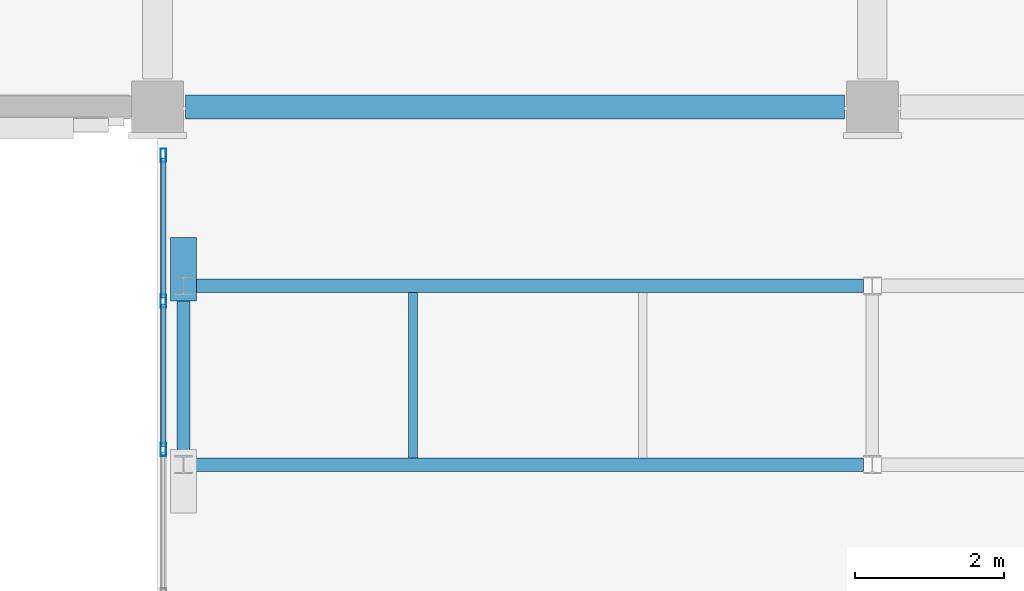
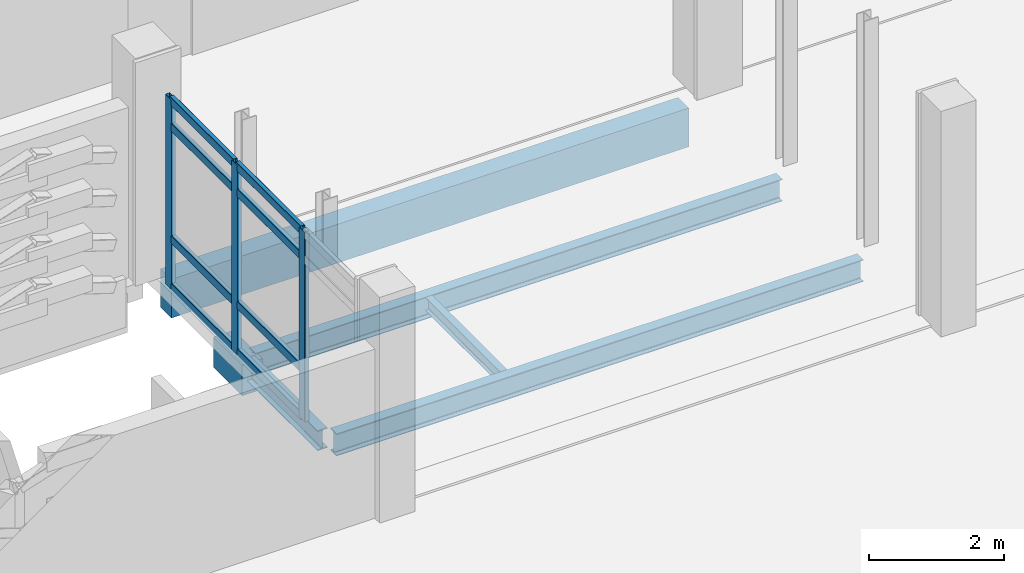
# One storey, part 35 of 134: 11 members, 6 beams, 1 element without a shape of its own.
"""IFC4 building model written with IfcOpenShell, lengths in metres."""

from ifc_helpers import new_model, si_unit, direction, frame, origin, origin_2d, place, context, subcontext, project, spatial, rectangle, hollow_rectangle, i_section, extrude, material, layer, layer_set, material_profile, profile_set, type_object, element, aggregate, save


model = new_model("IFC4")

# Units and contexts
model_context = context("Model", 3, precision=1e-05, world=origin(), true_north=direction((0.0, 1.0)))
body_context = subcontext(model_context, "Body", "Model", "MODEL_VIEW")
ifc_project = project(units=[si_unit("LENGTHUNIT", "METRE"), si_unit("AREAUNIT", "SQUARE_METRE"), si_unit("VOLUMEUNIT", "CUBIC_METRE"), si_unit("PLANEANGLEUNIT", "RADIAN"), si_unit("MASSUNIT", "GRAM", prefix="KILO")], contexts=[model_context])

# Site, building, storey
site_placement = place(None, origin())
site = spatial("IfcSite", under=ifc_project, at=site_placement, CompositionType="ELEMENT")
building_placement = place(site_placement, origin())
building = spatial("IfcBuilding", under=site, at=building_placement, Name="Asteropetra Specialist Clinic", CompositionType="ELEMENT")
storey_placement = place(building_placement, frame((0.0, 0.0, 8.5)))
storey = spatial("IfcBuildingStorey", under=building, at=storey_placement, Name="L02", CompositionType="ELEMENT", Elevation=8.5)

# Beams
ifc_material_1 = material(Name="Concrete C35/45", Category="concrete")
ifc_material_profile_1 = material_profile(ifc_material_1, rectangle(XDim=0.35009765625, YDim=0.550048828125, at=origin_2d()), Name="RCB 350x550")
ifc_profile_set_1 = profile_set([ifc_material_profile_1], Name="Concrete C35/45")
beam_type_1 = type_object("IfcBeamType", Name="BM-RC350x550", PredefinedType="BEAM", material=ifc_profile_set_1)
beam_1_placement = place(storey_placement, frame((9.949951171875, 67.0, -0.56005859375), z_axis=(0.0, 1.0, 0.0), x_axis=(-1.0, 0.0, 0.0)))
element("IfcBeam", 1, at=beam_1_placement, inside=storey, type_object=beam_type_1, Name="Bridge Bearing Seat Corbel CRB-14", PredefinedType="BEAM", context=body_context, shape_type="SweptSolid", body=[
    extrude(rectangle(XDim=0.35009765625, YDim=0.550048828125, at=origin_2d()), origin(), (0.0, 0.0, 1.0), 0.85009765625),
])
ifc_material_2 = material(Name="Steel S355", Category="steel")
ifc_material_profile_2 = material_profile(ifc_material_2, i_section(OverallWidth=0.169921875, OverallDepth=0.360107421875, WebThickness=0.008056640625, FlangeThickness=0.0126953125, FilletRadius=0.01806640625, at=origin_2d()), Name="IPE 360")
ifc_profile_set_2 = profile_set([ifc_material_profile_2], Name="Steel S355")
beam_type_2 = type_object("IfcBeamType", Name="BM-STL-IPE360", PredefinedType="BEAM", material=ifc_profile_set_2)
beam_2_placement = place(storey_placement, frame((9.949951171875, 64.919921875, -0.419921875), z_axis=(0.0, 1.0, 0.0), x_axis=(-1.0, 0.0, 0.0)))
element("IfcBeam", 2, at=beam_2_placement, inside=storey, type_object=beam_type_2, Name="Beam BBMS4-1347", PredefinedType="BEAM", context=body_context, shape_type="SweptSolid", body=[
    extrude(i_section(OverallWidth=0.169921875, OverallDepth=0.360107421875, WebThickness=0.008056640625, FlangeThickness=0.0126953125, FilletRadius=0.01806640625, at=origin_2d()), origin(), (0.0, 0.0, 1.0), 2.16015625),
])
ifc_material_3 = material(Name="Steel S355", Category="steel")
ifc_material_profile_3 = material_profile(ifc_material_3, i_section(OverallWidth=0.179931640625, OverallDepth=0.39990234375, WebThickness=0.008544921875, FlangeThickness=0.013427734375, FilletRadius=0.02099609375, at=origin_2d()), Name="IPE 400")
ifc_profile_set_3 = profile_set([ifc_material_profile_3], Name="Steel S355")
beam_type_3 = type_object("IfcBeamType", Name="BM-STL-IPE400", PredefinedType="BEAM", material=ifc_profile_set_3)
for number, where, z_axis, x_axis, name in (
    (3, (10.070068359375, 64.800048828125, -0.43994140625), (1.0, 0.0, 0.0), (0.0, 1.0, 0.0), "Beam BBMS3-1343"),
    (4, (10.070068359375, 67.199951171875, -0.43994140625), (1.0, 0.0, 0.0), (0.0, 1.0, 0.0), "Beam BBMS3-1345"),
):
    element("IfcBeam", number, at=place(storey_placement, frame(where, z_axis=z_axis, x_axis=x_axis)), inside=storey, type_object=beam_type_3, Name=name, PredefinedType="BEAM", context=body_context, shape_type="SweptSolid", body=[
        extrude(i_section(OverallWidth=0.179931640625, OverallDepth=0.39990234375, WebThickness=0.008544921875, FlangeThickness=0.013427734375, FilletRadius=0.02099609375, at=origin_2d()), origin(), (0.0, 0.0, 1.0), 9.010009765625),
    ])

# Curtain wall, members
ifc_material_4 = material(Name="Aluminium and low-E glass", Category="aluminium")
ifc_layer = layer(ifc_material_4, 0.14990234375)
ifc_layer_set = layer_set([ifc_layer], Name="Aluminium and low-E glass")
curtain_wall_type = type_object("IfcCurtainWallType", Name="CW-SYS-08", PredefinedType="USERDEFINED", material=ifc_layer_set)
curtain_wall_placement = place(storey_placement, origin())
curtain_wall = element("IfcCurtainWall", 5, at=curtain_wall_placement, inside=storey, type_object=curtain_wall_type, Name="Curtain Wall CW-105", ObjectType="STICK GLAZED COLONNADE", PredefinedType="USERDEFINED")
ifc_material_5 = material(Name="Aluminium 6063-T6", Category="aluminium")
ifc_material_profile_4 = material_profile(ifc_material_5, hollow_rectangle(XDim=0.074951171875, YDim=0.179931640625, WallThickness=0.00390625, InnerFilletRadius=0.00390625, OuterFilletRadius=0.008056640625, at=origin_2d()), Name="MUL 180x75x4.0")
ifc_profile_set_4 = profile_set([ifc_material_profile_4], Name="Aluminium 6063-T6")
member_type_1 = type_object("IfcMemberType", Name="CWM-180x75", PredefinedType="MULLION", material=ifc_profile_set_4)
member_1_placement = place(storey_placement, frame((9.679931640625, 65.00341796875, 0.0), z_axis=(0.0, 0.0, 1.0), x_axis=(-1.0, 0.0, 0.0)))
member_1 = element("IfcMember", 6, at=member_1_placement, type_object=member_type_1, Name="CW-105 mullion 2", PredefinedType="MULLION", context=body_context, shape_type="SweptSolid", body=[
    extrude(hollow_rectangle(XDim=0.074951171875, YDim=0.179931640625, WallThickness=0.00390625, InnerFilletRadius=0.00390625, OuterFilletRadius=0.008056640625, at=origin_2d()), origin(), (0.0, 0.0, 1.0), 3.429931640625),
])
member_2_placement = place(storey_placement, frame((9.679931640625, 66.99658203125, 0.0), z_axis=(0.0, 0.0, 1.0), x_axis=(-1.0, 0.0, 0.0)))
member_2 = element("IfcMember", 7, at=member_2_placement, type_object=member_type_1, Name="CW-105 mullion 3", PredefinedType="MULLION", context=body_context, shape_type="SweptSolid", body=[
    extrude(hollow_rectangle(XDim=0.074951171875, YDim=0.179931640625, WallThickness=0.00390625, InnerFilletRadius=0.00390625, OuterFilletRadius=0.008056640625, at=origin_2d()), origin(), (0.0, 0.0, 1.0), 3.429931640625),
])
member_3_placement = place(storey_placement, frame((9.679931640625, 68.952392578125, 0.0), z_axis=(0.0, 0.0, 1.0), x_axis=(-1.0, 0.0, 0.0)))
member_3 = element("IfcMember", 8, at=member_3_placement, type_object=member_type_1, Name="CW-105 mullion 4", PredefinedType="MULLION", context=body_context, shape_type="SweptSolid", body=[
    extrude(hollow_rectangle(XDim=0.074951171875, YDim=0.179931640625, WallThickness=0.00390625, InnerFilletRadius=0.00390625, OuterFilletRadius=0.008056640625, at=origin_2d()), origin(), (0.0, 0.0, 1.0), 3.429931640625),
])
ifc_material_6 = material(Name="Aluminium 6063-T6", Category="aluminium")
ifc_material_profile_5 = material_profile(ifc_material_6, hollow_rectangle(XDim=0.074951171875, YDim=0.14990234375, WallThickness=0.00390625, InnerFilletRadius=0.00390625, OuterFilletRadius=0.008056640625, at=origin_2d()), Name="TRN 150x75x4.0")
ifc_profile_set_5 = profile_set([ifc_material_profile_5], Name="Aluminium 6063-T6")
member_type_2 = type_object("IfcMemberType", Name="CWT-150x75", PredefinedType="USERDEFINED", material=ifc_profile_set_5)
member_4_placement = place(storey_placement, frame((9.679931640625, 65.040771484375, 0.03759765625), z_axis=(0.0, 1.0, 0.0), x_axis=(-1.0, 0.0, 0.0)))
member_4 = element("IfcMember", 9, at=member_4_placement, type_object=member_type_2, Name="CW-105 transom 2.1", ObjectType="TRANSOM", PredefinedType="USERDEFINED", context=body_context, shape_type="SweptSolid", body=[
    extrude(hollow_rectangle(XDim=0.074951171875, YDim=0.14990234375, WallThickness=0.00390625, InnerFilletRadius=0.00390625, OuterFilletRadius=0.008056640625, at=origin_2d()), origin(), (0.0, 0.0, 1.0), 1.91845703125),
])
member_5_placement = place(storey_placement, frame((9.679931640625, 65.040771484375, 0.89990234375), z_axis=(0.0, 1.0, 0.0), x_axis=(-1.0, 0.0, 0.0)))
member_5 = element("IfcMember", 10, at=member_5_placement, type_object=member_type_2, Name="CW-105 transom 2.2", ObjectType="TRANSOM", PredefinedType="USERDEFINED", context=body_context, shape_type="SweptSolid", body=[
    extrude(hollow_rectangle(XDim=0.074951171875, YDim=0.14990234375, WallThickness=0.00390625, InnerFilletRadius=0.00390625, OuterFilletRadius=0.008056640625, at=origin_2d()), origin(), (0.0, 0.0, 1.0), 1.91845703125),
])
member_6_placement = place(storey_placement, frame((9.679931640625, 65.040771484375, 2.929931640625), z_axis=(0.0, 1.0, 0.0), x_axis=(-1.0, 0.0, 0.0)))
member_6 = element("IfcMember", 11, at=member_6_placement, type_object=member_type_2, Name="CW-105 transom 2.3", ObjectType="TRANSOM", PredefinedType="USERDEFINED", context=body_context, shape_type="SweptSolid", body=[
    extrude(hollow_rectangle(XDim=0.074951171875, YDim=0.14990234375, WallThickness=0.00390625, InnerFilletRadius=0.00390625, OuterFilletRadius=0.008056640625, at=origin_2d()), origin(), (0.0, 0.0, 1.0), 1.91845703125),
])
member_7_placement = place(storey_placement, frame((9.679931640625, 65.040771484375, 3.392578125), z_axis=(0.0, 1.0, 0.0), x_axis=(-1.0, 0.0, 0.0)))
member_7 = element("IfcMember", 12, at=member_7_placement, type_object=member_type_2, Name="CW-105 transom 2.4", ObjectType="TRANSOM", PredefinedType="USERDEFINED", context=body_context, shape_type="SweptSolid", body=[
    extrude(hollow_rectangle(XDim=0.074951171875, YDim=0.14990234375, WallThickness=0.00390625, InnerFilletRadius=0.00390625, OuterFilletRadius=0.008056640625, at=origin_2d()), origin(), (0.0, 0.0, 1.0), 1.91845703125),
])
member_8_placement = place(storey_placement, frame((9.679931640625, 67.0341796875, 0.03759765625), z_axis=(0.0, 1.0, 0.0), x_axis=(-1.0, 0.0, 0.0)))
member_8 = element("IfcMember", 13, at=member_8_placement, type_object=member_type_2, Name="CW-105 transom 3.1", ObjectType="TRANSOM", PredefinedType="USERDEFINED", context=body_context, shape_type="SweptSolid", body=[
    extrude(hollow_rectangle(XDim=0.074951171875, YDim=0.14990234375, WallThickness=0.00390625, InnerFilletRadius=0.00390625, OuterFilletRadius=0.008056640625, at=origin_2d()), origin(), (0.0, 0.0, 1.0), 1.880859375),
])
member_9_placement = place(storey_placement, frame((9.679931640625, 67.0341796875, 0.89990234375), z_axis=(0.0, 1.0, 0.0), x_axis=(-1.0, 0.0, 0.0)))
member_9 = element("IfcMember", 14, at=member_9_placement, type_object=member_type_2, Name="CW-105 transom 3.2", ObjectType="TRANSOM", PredefinedType="USERDEFINED", context=body_context, shape_type="SweptSolid", body=[
    extrude(hollow_rectangle(XDim=0.074951171875, YDim=0.14990234375, WallThickness=0.00390625, InnerFilletRadius=0.00390625, OuterFilletRadius=0.008056640625, at=origin_2d()), origin(), (0.0, 0.0, 1.0), 1.880859375),
])
member_10_placement = place(storey_placement, frame((9.679931640625, 67.0341796875, 2.929931640625), z_axis=(0.0, 1.0, 0.0), x_axis=(-1.0, 0.0, 0.0)))
member_10 = element("IfcMember", 15, at=member_10_placement, type_object=member_type_2, Name="CW-105 transom 3.3", ObjectType="TRANSOM", PredefinedType="USERDEFINED", context=body_context, shape_type="SweptSolid", body=[
    extrude(hollow_rectangle(XDim=0.074951171875, YDim=0.14990234375, WallThickness=0.00390625, InnerFilletRadius=0.00390625, OuterFilletRadius=0.008056640625, at=origin_2d()), origin(), (0.0, 0.0, 1.0), 1.880859375),
])
member_11_placement = place(storey_placement, frame((9.679931640625, 67.0341796875, 3.392578125), z_axis=(0.0, 1.0, 0.0), x_axis=(-1.0, 0.0, 0.0)))
member_11 = element("IfcMember", 16, at=member_11_placement, type_object=member_type_2, Name="CW-105 transom 3.4", ObjectType="TRANSOM", PredefinedType="USERDEFINED", context=body_context, shape_type="SweptSolid", body=[
    extrude(hollow_rectangle(XDim=0.074951171875, YDim=0.14990234375, WallThickness=0.00390625, InnerFilletRadius=0.00390625, OuterFilletRadius=0.008056640625, at=origin_2d()), origin(), (0.0, 0.0, 1.0), 1.880859375),
])
aggregate(curtain_wall, [member_1, member_2, member_3, member_4, member_5, member_6, member_7, member_8, member_9, member_10, member_11])

# Beams
ifc_material_7 = material(Name="Steel S355", Category="steel")
ifc_material_profile_6 = material_profile(ifc_material_7, i_section(OverallWidth=0.1201171875, OverallDepth=0.239990234375, WebThickness=0.006103515625, FlangeThickness=0.009765625, FilletRadius=0.014892578125, at=origin_2d()), Name="IPE 240")
ifc_profile_set_6 = profile_set([ifc_material_profile_6], Name="Steel S355")
beam_type_4 = type_object("IfcBeamType", Name="JST-STL-IPE240", PredefinedType="JOIST", material=ifc_profile_set_6)
beam_3_placement = place(storey_placement, frame((13.033203125, 64.889892578125, -0.360107421875), z_axis=(0.0, 1.0, 0.0), x_axis=(-1.0, 0.0, 0.0)))
element("IfcBeam", 17, at=beam_3_placement, inside=storey, type_object=beam_type_4, Name="Joist JJSTS1-1350", PredefinedType="JOIST", context=body_context, shape_type="SweptSolid", body=[
    extrude(i_section(OverallWidth=0.1201171875, OverallDepth=0.239990234375, WebThickness=0.006103515625, FlangeThickness=0.009765625, FilletRadius=0.014892578125, at=origin_2d()), origin(), (0.0, 0.0, 1.0), 2.22021484375),
])
ifc_material_8 = material(Name="Concrete C35/45", Category="concrete")
ifc_material_profile_7 = material_profile(ifc_material_8, rectangle(XDim=0.320068359375, YDim=0.699951171875, at=origin_2d()), Name="RCS 320x700")
ifc_profile_set_7 = profile_set([ifc_material_profile_7], Name="Concrete C35/45")
beam_type_5 = type_object("IfcBeamType", Name="SPN-RC320x700", PredefinedType="SPANDREL", material=ifc_profile_set_7)
beam_4_placement = place(storey_placement, frame((9.97509765625, 69.60009765625, -0.6298828125), z_axis=(1.0, 0.0, 0.0), x_axis=(0.0, 1.0, 0.0)))
element("IfcBeam", 18, at=beam_4_placement, inside=storey, type_object=beam_type_5, Name="Beam BSPN02-1242", PredefinedType="SPANDREL", context=body_context, shape_type="SweptSolid", body=[
    extrude(rectangle(XDim=0.320068359375, YDim=0.699951171875, at=origin_2d()), origin(), (0.0, 0.0, 1.0), 8.849853515625),
])

save(model, "model.ifc")
